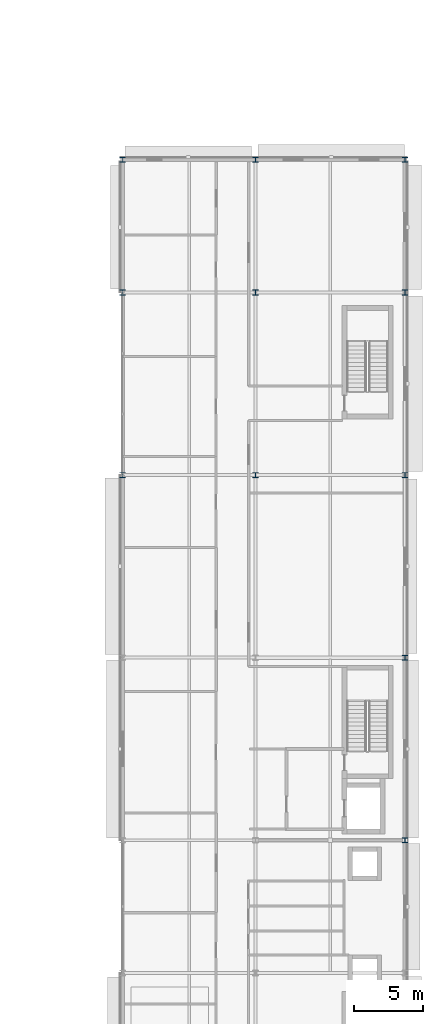
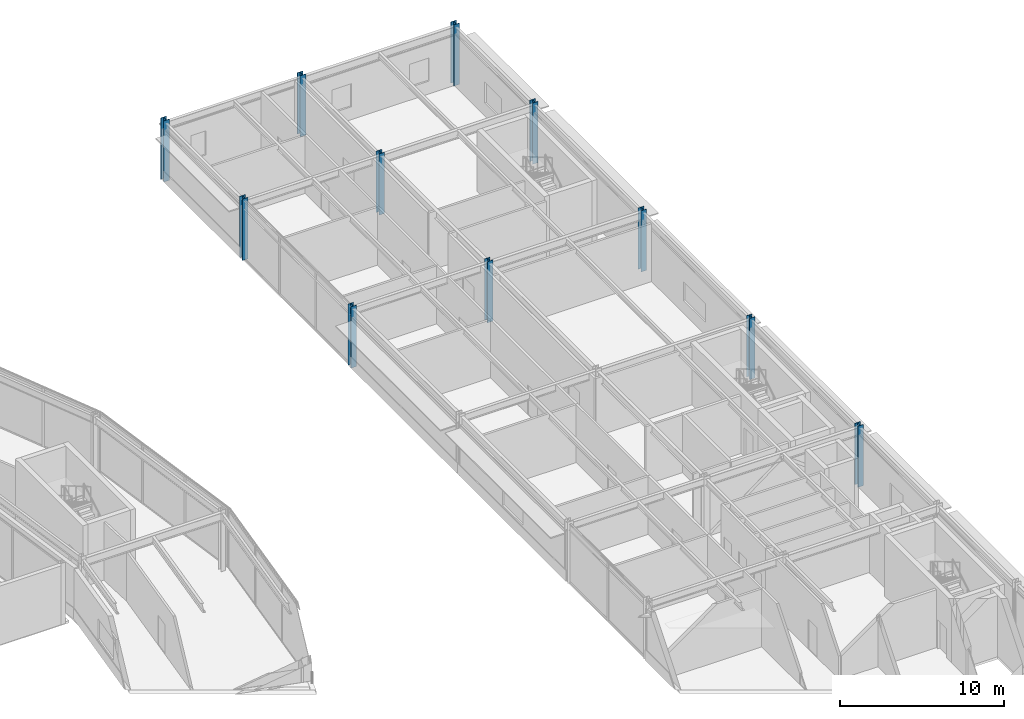
# One storey, part 15 of 116: 11 columns.
"""IFC4 building model written with IfcOpenShell, lengths in metres."""

from ifc_helpers import new_model, si_unit, direction, frame, origin, origin_2d, place, context, subcontext, project, spatial, i_section, extrude, material, material_profile, profile_set, type_object, element, save


model = new_model("IFC4")

# Units and contexts
model_context = context("Model", 3, precision=1e-05, world=origin(), true_north=direction((0.0, 1.0)))
body_context = subcontext(model_context, "Body", "Model", "MODEL_VIEW")
ifc_project = project(units=[si_unit("LENGTHUNIT", "METRE"), si_unit("AREAUNIT", "SQUARE_METRE"), si_unit("VOLUMEUNIT", "CUBIC_METRE"), si_unit("PLANEANGLEUNIT", "RADIAN"), si_unit("MASSUNIT", "GRAM", prefix="KILO")], contexts=[model_context])

# Site, building, storey
site_placement = place(None, origin())
site = spatial("IfcSite", under=ifc_project, at=site_placement, CompositionType="ELEMENT")
building_placement = place(site_placement, origin())
building = spatial("IfcBuilding", under=site, at=building_placement, Name="Almandine Court Research Institute", CompositionType="ELEMENT")
storey_placement = place(building_placement, frame((0.0, 0.0, 14.35009765625)))
storey = spatial("IfcBuildingStorey", under=building, at=storey_placement, Name="L03", CompositionType="ELEMENT", Elevation=14.35009765625)

# Columns
ifc_material = material(Name="Steel ASTM A992 Grade 50", Category="steel")
ifc_material_profile_1 = material_profile(ifc_material, i_section(OverallWidth=0.39404296875, OverallDepth=0.375, WebThickness=0.02001953125, FlangeThickness=0.031982421875, at=origin_2d()), Name="W360x216")
ifc_profile_set_1 = profile_set([ifc_material_profile_1], Name="Steel ASTM A992 Grade 50")
column_type_1 = type_object("IfcColumnType", Name="Col-C-W02", PredefinedType="COLUMN", material=ifc_profile_set_1)
for number, where, z_axis, x_axis, name in (
    (1, (153.60009765625, 70.800048828125, 0.0), (0.0, 0.0, 1.0), (1.0, 0.0, 0.0), "L03 V4 Column V4-X2Y7"),
    (2, (153.60009765625, 84.0, 0.0), (0.0, 0.0, 1.0), (1.0, 0.0, 0.0), "L03 V4 Column V4-X2Y8"),
    (3, (153.60009765625, 93.60009765625, 0.0), (0.0, 0.0, 1.0), (1.0, 0.0, 0.0), "L03 V4 Column V4-X2Y9"),
    (4, (163.199951171875, 70.800048828125, 0.0), (0.0, 0.0, 1.0), (1.0, 0.0, 0.0), "L03 V4 Column V4-X3Y7"),
    (5, (163.199951171875, 84.0, 0.0), (0.0, 0.0, 1.0), (1.0, 0.0, 0.0), "L03 V4 Column V4-X3Y8"),
    (6, (163.199951171875, 93.60009765625, 0.0), (0.0, 0.0, 1.0), (1.0, 0.0, 0.0), "L03 V4 Column V4-X3Y9"),
):
    element("IfcColumn", number, at=place(storey_placement, frame(where, z_axis=z_axis, x_axis=x_axis)), inside=storey, type_object=column_type_1, Name=name, PredefinedType="COLUMN", context=body_context, shape_type="SweptSolid", body=[
        extrude(i_section(OverallWidth=0.39404296875, OverallDepth=0.375, WebThickness=0.02001953125, FlangeThickness=0.031982421875, at=origin_2d()), origin(), (0.0, 0.0, 1.0), 4.5498046875),
    ])
ifc_material_profile_2 = material_profile(ifc_material, i_section(OverallWidth=0.39404296875, OverallDepth=0.375, WebThickness=0.02001953125, FlangeThickness=0.031982421875, at=origin_2d()), Name="W360x216")
ifc_profile_set_2 = profile_set([ifc_material_profile_2], Name="Steel ASTM A992 Grade 50")
column_type_2 = type_object("IfcColumnType", Name="Col-C-W02-E", PredefinedType="COLUMN", material=ifc_profile_set_2)
for number, where, z_axis, x_axis, name in (
    (7, (174.0, 44.39990234375, 0.0), (0.0, 0.0, 1.0), (1.0, 0.0, 0.0), "L03 V4 Column V4-X4Y5"),
    (8, (174.0, 57.60009765625, 0.0), (0.0, 0.0, 1.0), (1.0, 0.0, 0.0), "L03 V4 Column V4-X4Y6"),
    (9, (174.0, 70.800048828125, 0.0), (0.0, 0.0, 1.0), (1.0, 0.0, 0.0), "L03 V4 Column V4-X4Y7"),
    (10, (174.0, 84.0, 0.0), (0.0, 0.0, 1.0), (1.0, 0.0, 0.0), "L03 V4 Column V4-X4Y8"),
    (11, (174.0, 93.60009765625, 0.0), (0.0, 0.0, 1.0), (1.0, 0.0, 0.0), "L03 V4 Column V4-X4Y9"),
):
    element("IfcColumn", number, at=place(storey_placement, frame(where, z_axis=z_axis, x_axis=x_axis)), inside=storey, type_object=column_type_2, Name=name, PredefinedType="COLUMN", context=body_context, shape_type="SweptSolid", body=[
        extrude(i_section(OverallWidth=0.39404296875, OverallDepth=0.375, WebThickness=0.02001953125, FlangeThickness=0.031982421875, at=origin_2d()), origin(), (0.0, 0.0, 1.0), 4.5498046875),
    ])

save(model, "model.ifc")
